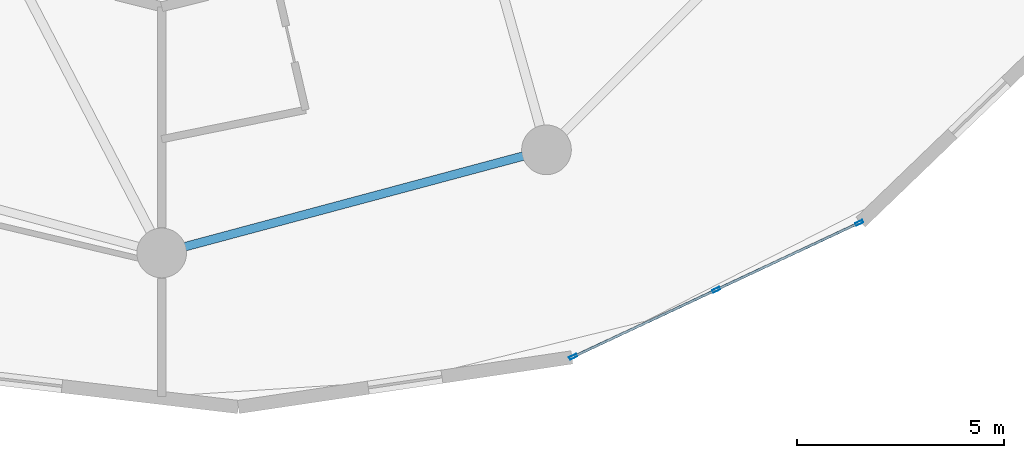
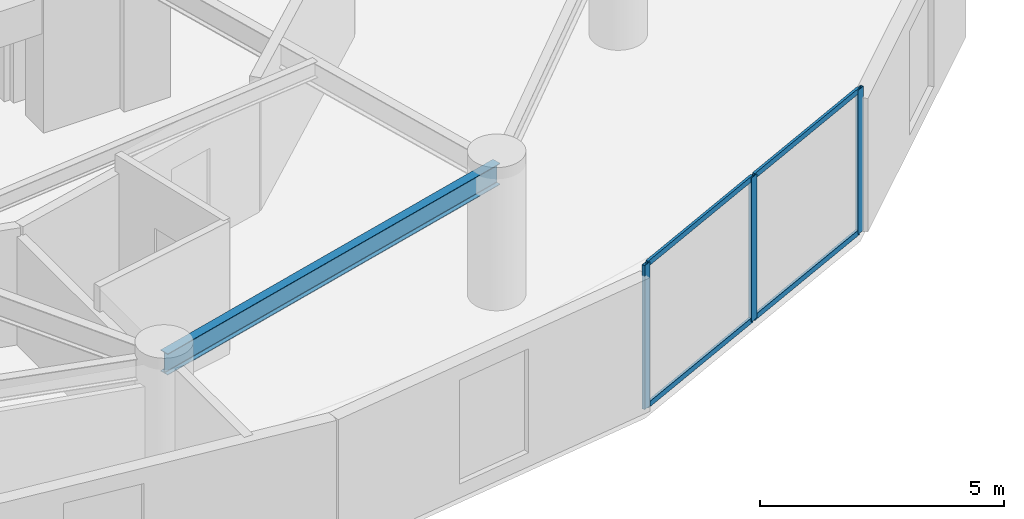
# One storey, part 10 of 25: 7 members, 1 beam, 1 element without a shape of its own.
"""IFC4 building model written with IfcOpenShell, lengths in metres."""

from ifc_helpers import new_model, si_unit, direction, frame, origin, origin_2d, place, context, subcontext, project, spatial, hollow_rectangle, i_section, extrude, source, transform, mapped, material, layer, layer_set, material_profile, profile_set, type_object, element, aggregate, save


model = new_model("IFC4")

# Units and contexts
model_context = context("Model", 3, precision=1e-05, world=origin(), true_north=direction((0.0, 1.0)))
body_context = subcontext(model_context, "Body", "Model", "MODEL_VIEW")
ifc_project = project(units=[si_unit("LENGTHUNIT", "METRE"), si_unit("AREAUNIT", "SQUARE_METRE"), si_unit("VOLUMEUNIT", "CUBIC_METRE"), si_unit("PLANEANGLEUNIT", "RADIAN"), si_unit("MASSUNIT", "GRAM", prefix="KILO")], contexts=[model_context])

# Site, building, storey
site_placement = place(None, origin())
site = spatial("IfcSite", under=ifc_project, at=site_placement, CompositionType="ELEMENT")
building_placement = place(site_placement, origin())
building = spatial("IfcBuilding", under=site, at=building_placement, Name="Solvirekh Grand Hotel", CompositionType="ELEMENT")
storey_placement = place(building_placement, frame((0.0, 0.0, 57.199951171875)))
storey = spatial("IfcBuildingStorey", under=building, at=storey_placement, Name="L13", CompositionType="ELEMENT", Elevation=57.199951171875)

# Beam
ifc_material_1 = material(Name="Steel S355", Category="steel")
ifc_material_profile_1 = material_profile(ifc_material_1, i_section(OverallWidth=0.208984375, OverallDepth=0.532958984375, WebThickness=0.010009765625, FlangeThickness=0.014892578125, FilletRadius=0.013916015625, at=origin_2d()), Name="W530X92")
ifc_profile_set_1 = profile_set([ifc_material_profile_1], Name="Steel S355")
beam_type = type_object("IfcBeamType", Name="Spandrel_Ring_W530", PredefinedType="SPANDREL", material=ifc_profile_set_1)
beam_placement = place(storey_placement, frame((0.0, -18.60009765625, 3.072998046875), z_axis=(0.965919414426, 0.258842973314, 0.0), x_axis=(-0.258842973314, 0.965919414426, 0.0)))
element("IfcBeam", 1, at=beam_placement, inside=storey, type_object=beam_type, Name="L13 perimeter spandrel beam 10", PredefinedType="SPANDREL", context=body_context, shape_type="SweptSolid", body=[
    extrude(i_section(OverallWidth=0.208984375, OverallDepth=0.532958984375, WebThickness=0.010009765625, FlangeThickness=0.014892578125, FilletRadius=0.013916015625, at=origin_2d()), origin(), (0.0, 0.0, 1.0), 9.628173828125),
])

# Curtain wall, members
ifc_material_2 = material(Name="Anodized Bronze Aluminium 6063-T6", Category="aluminium")
ifc_layer = layer(ifc_material_2, 0.18994140625)
ifc_layer_set = layer_set([ifc_layer], Name="Anodized Bronze Aluminium 6063-T6")
curtain_wall_type = type_object("IfcCurtainWallType", Name="CW_Sys2_LowZoneFlushBronzeCW", PredefinedType="NOTDEFINED", material=ifc_layer_set)
curtain_wall_placement = place(storey_placement, origin())
curtain_wall = element("IfcCurtainWall", 2, at=curtain_wall_placement, inside=storey, type_object=curtain_wall_type, Name="L13 unitised bronze-glass curtain wall CW-L13-C18", PredefinedType="NOTDEFINED")
ifc_material_profile_2 = material_profile(ifc_material_2, hollow_rectangle(XDim=0.070068359375, YDim=0.18994140625, WallThickness=0.0048828125, at=origin_2d()), Name="ALU RHS 190X70X5")
ifc_profile_set_2 = profile_set([ifc_material_profile_2], Name="Anodized Bronze Aluminium 6063-T6")
member_type_1 = type_object("IfcMemberType", Name="CWMullion_Sys2", PredefinedType="MULLION", material=ifc_profile_set_2)
shared_shape_1 = source(origin(), body_context, "Body", "SweptSolid", [
    extrude(hollow_rectangle(XDim=0.070068359375, YDim=0.18994140625, WallThickness=0.0048828125, at=origin_2d()), origin(), (0.0, 0.0, 1.0), 3.60009765625),
])
member_1_placement = place(storey_placement, frame((9.944580078125, -21.110107421875, 0.0), z_axis=(0.0, 0.0, 1.0), x_axis=(-0.424121298124, 0.905605391149, 0.0)))
member_1 = element("IfcMember", 3, at=member_1_placement, type_object=member_type_1, Name="U02 mullion 1", PredefinedType="MULLION", context=body_context, shape_type="MappedRepresentation", body=[
    mapped(shared_shape_1, transform((0.0, 0.0, 0.0), x_axis=(1.0, 0.0, 0.0), y_axis=(0.0, 1.0, 0.0), z_axis=(0.0, 0.0, 1.0), scale=1.0)),
])
member_2_placement = place(storey_placement, frame((13.402099609375, -19.490966796875, 0.0), z_axis=(0.0, 0.0, 1.0), x_axis=(-0.424121298124, 0.905605391149, 0.0)))
member_2 = element("IfcMember", 4, at=member_2_placement, type_object=member_type_1, Name="U02 mullion 2", PredefinedType="MULLION", context=body_context, shape_type="MappedRepresentation", body=[
    mapped(shared_shape_1, transform((0.0, 0.0, 0.0), x_axis=(1.0, 0.0, 0.0), y_axis=(0.0, 1.0, 0.0), z_axis=(0.0, 0.0, 1.0), scale=1.0)),
])
member_3_placement = place(storey_placement, frame((16.859375, -17.871826171875, 0.0), z_axis=(0.0, 0.0, 1.0), x_axis=(-0.424121298124, 0.905605391149, 0.0)))
member_3 = element("IfcMember", 5, at=member_3_placement, type_object=member_type_1, Name="U02 mullion 3", PredefinedType="MULLION", context=body_context, shape_type="MappedRepresentation", body=[
    mapped(shared_shape_1, transform((0.0, 0.0, 0.0), x_axis=(1.0, 0.0, 0.0), y_axis=(0.0, 1.0, 0.0), z_axis=(0.0, 0.0, 1.0), scale=1.0)),
])
ifc_material_profile_3 = material_profile(ifc_material_2, hollow_rectangle(XDim=0.06005859375, YDim=0.135009765625, WallThickness=0.00390625, at=origin_2d()), Name="ALU RHS 135X60X4")
ifc_profile_set_3 = profile_set([ifc_material_profile_3], Name="Anodized Bronze Aluminium 6063-T6")
member_type_2 = type_object("IfcMemberType", Name="CWTransom_Sys2", PredefinedType="USERDEFINED", material=ifc_profile_set_3)
shared_shape_2 = source(origin(), body_context, "Body", "SweptSolid", [
    extrude(hollow_rectangle(XDim=0.06005859375, YDim=0.135009765625, WallThickness=0.00390625, at=origin_2d()), origin(), (0.0, 0.0, 1.0), 3.747802734375),
])
member_4_placement = place(storey_placement, frame((9.976318359375, -21.09521484375, 0.030029296875), z_axis=(0.905623160856, 0.424083353271, 0.0), x_axis=(-0.424083353271, 0.905623160856, 0.0)))
member_4 = element("IfcMember", 6, at=member_4_placement, type_object=member_type_2, Name="U02 transom 1.1", ObjectType="TRANSOM", PredefinedType="USERDEFINED", context=body_context, shape_type="MappedRepresentation", body=[
    mapped(shared_shape_2, transform((0.0, 0.0, 0.0), x_axis=(1.0, 0.0, 0.0), y_axis=(0.0, 1.0, 0.0), z_axis=(0.0, 0.0, 1.0), scale=1.0)),
])
member_5_placement = place(storey_placement, frame((9.976318359375, -21.09521484375, 3.570068359375), z_axis=(0.905623160856, 0.424083353271, 0.0), x_axis=(-0.424083353271, 0.905623160856, 0.0)))
member_5 = element("IfcMember", 7, at=member_5_placement, type_object=member_type_2, Name="U02 transom 1.2", ObjectType="TRANSOM", PredefinedType="USERDEFINED", context=body_context, shape_type="MappedRepresentation", body=[
    mapped(shared_shape_2, transform((0.0, 0.0, 0.0), x_axis=(1.0, 0.0, 0.0), y_axis=(0.0, 1.0, 0.0), z_axis=(0.0, 0.0, 1.0), scale=1.0)),
])
member_6_placement = place(storey_placement, frame((13.43359375, -19.47607421875, 0.030029296875), z_axis=(0.905623160856, 0.424083353271, 0.0), x_axis=(-0.424083353271, 0.905623160856, 0.0)))
member_6 = element("IfcMember", 8, at=member_6_placement, type_object=member_type_2, Name="U02 transom 2.1", ObjectType="TRANSOM", PredefinedType="USERDEFINED", context=body_context, shape_type="MappedRepresentation", body=[
    mapped(shared_shape_2, transform((0.0, 0.0, 0.0), x_axis=(1.0, 0.0, 0.0), y_axis=(0.0, 1.0, 0.0), z_axis=(0.0, 0.0, 1.0), scale=1.0)),
])
member_7_placement = place(storey_placement, frame((13.43359375, -19.47607421875, 3.570068359375), z_axis=(0.905623160856, 0.424083353271, 0.0), x_axis=(-0.424083353271, 0.905623160856, 0.0)))
member_7 = element("IfcMember", 9, at=member_7_placement, type_object=member_type_2, Name="U02 transom 2.2", ObjectType="TRANSOM", PredefinedType="USERDEFINED", context=body_context, shape_type="MappedRepresentation", body=[
    mapped(shared_shape_2, transform((0.0, 0.0, 0.0), x_axis=(1.0, 0.0, 0.0), y_axis=(0.0, 1.0, 0.0), z_axis=(0.0, 0.0, 1.0), scale=1.0)),
])
aggregate(curtain_wall, [member_1, member_2, member_3, member_4, member_5, member_6, member_7])

save(model, "model.ifc")
